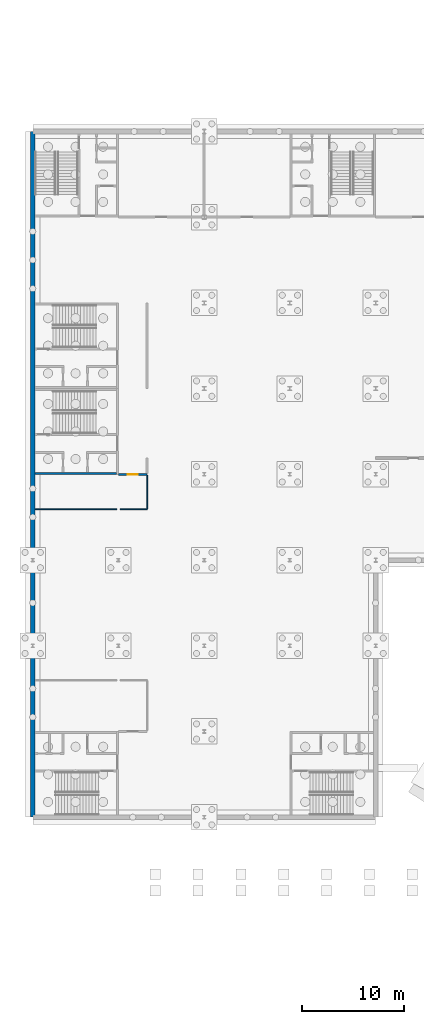
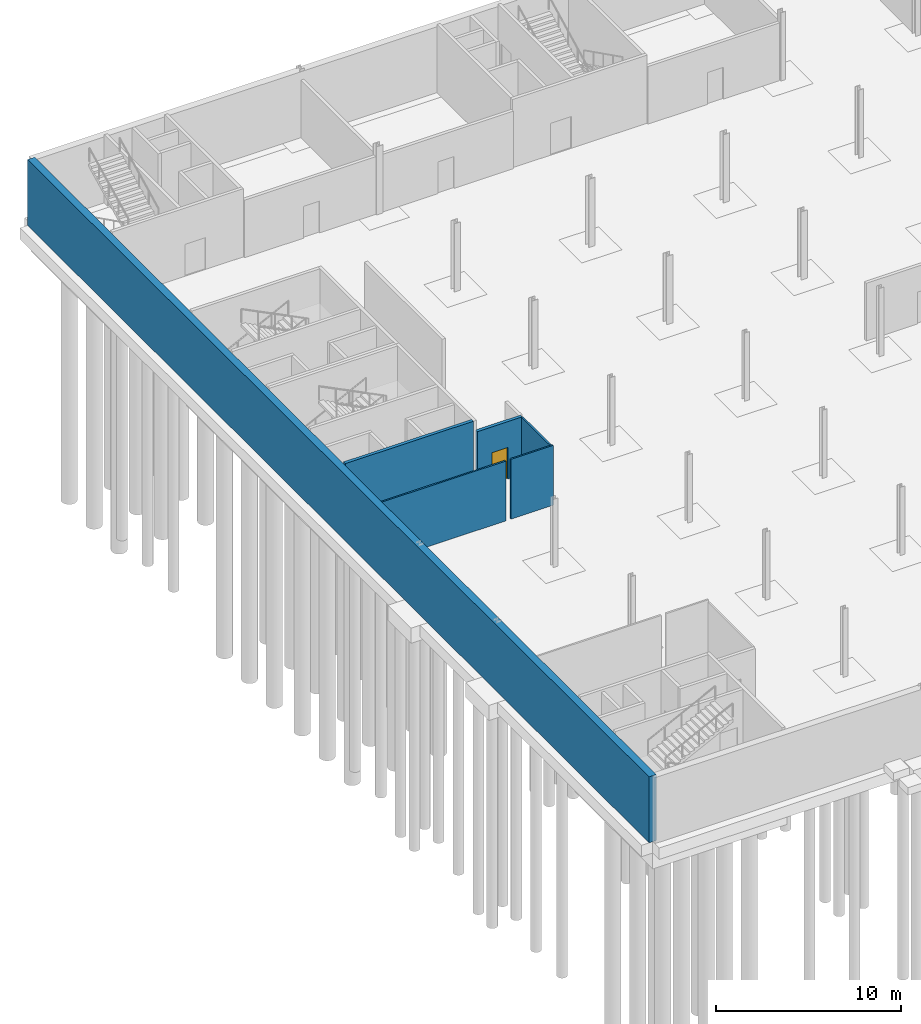
# One storey, part 20 of 35: 6 walls, 1 door, 1 opening.
"""IFC4 building model written with IfcOpenShell, lengths in metres."""

from ifc_helpers import new_model, si_unit, direction, frame, frame_2d, origin, place, context, subcontext, project, spatial, rectangle, extrude, material, layer, layer_set, type_object, element, fill, save


model = new_model("IFC4")

# Units and contexts
model_context = context("Model", 3, precision=1e-05, world=origin(), true_north=direction((0.0, 1.0)))
body_context = subcontext(model_context, "Body", "Model", "MODEL_VIEW")
ifc_project = project(units=[si_unit("LENGTHUNIT", "METRE"), si_unit("AREAUNIT", "SQUARE_METRE"), si_unit("VOLUMEUNIT", "CUBIC_METRE"), si_unit("PLANEANGLEUNIT", "RADIAN"), si_unit("MASSUNIT", "GRAM", prefix="KILO")], contexts=[model_context])

# Site, building, storey
site_placement = place(None, origin())
site = spatial("IfcSite", under=ifc_project, at=site_placement, CompositionType="ELEMENT")
building_placement = place(site_placement, origin())
building = spatial("IfcBuilding", under=site, at=building_placement, Name="Ardhachandra Cancer Care Centre", CompositionType="ELEMENT")
storey_placement = place(building_placement, frame((0.0, 0.0, -4.5)))
storey = spatial("IfcBuildingStorey", under=building, at=storey_placement, Name="B1", CompositionType="ELEMENT", Elevation=-4.5)

# Wall, opening, door
ifc_material_1 = material(Name="Gypsum board corridor partition on steel studs", Category="steel")
ifc_layer_1 = layer(ifc_material_1, 0.199951171875)
ifc_layer_set_1 = layer_set([ifc_layer_1], Name="Gypsum board corridor partition on steel studs")
wall_type_1 = type_object("IfcWallType", Name="CORRIDOR WALL 200 EI 120", PredefinedType="PARTITIONING", material=ifc_layer_set_1)
wall_1_placement = place(storey_placement, frame((19.199951171875, 63.0, 0.0), z_axis=(0.0, 0.0, 1.0), x_axis=(1.0, 0.0, 0.0)))
wall_1 = element("IfcWall", 1, at=wall_1_placement, inside=storey, type_object=wall_type_1, Name="R/wall/B1/h0063000_0019200", PredefinedType="PARTITIONING", context=body_context, shape_type="SweptSolid", body=[
    extrude(rectangle(XDim=2.800048828125, YDim=0.199951171875, at=frame_2d((1.39990234375, 0.0))), origin(), (0.0, 0.0, 1.0), 3.800048828125),
])
opening_placement = place(wall_1_placement, frame((0.89990234375, 0.0, 0.0)))
opening = element("IfcOpeningElement", 2, at=opening_placement, cuts=wall_1, Name="Opening B1-0003", PredefinedType="OPENING", context=body_context, shape_type="SweptSolid", body=[
    extrude(rectangle(XDim=1.0, YDim=2.10009765625, at=frame_2d((0.5, 1.050048828125))), frame((0.0, 0.10986328125, 0.0), z_axis=(0.0, -1.0, 0.0), x_axis=(1.0, 0.0, 0.0)), (0.0, 0.0, 1.0), 0.219970703125),
])
ifc_material_2 = material(Name="Steel fire door", Category="steel")
door_type = type_object("IfcDoorType", Name="FIRE DOOR SINGLE 1000x2100 FD60", OperationType="NOTDEFINED", PredefinedType="DOOR", material=ifc_material_2)
door_placement = place(opening_placement, origin())
door = element("IfcDoor", 3, at=door_placement, inside=storey, type_object=door_type, Name="Door B1-0003", OperationType="SINGLE_SWING_LEFT", OverallHeight=2.10009765625, OverallWidth=1.0, PredefinedType="DOOR", context=body_context, shape_type="SweptSolid", body=[
    extrude(rectangle(XDim=1.0, YDim=2.10009765625, at=frame_2d((0.5, 1.050048828125))), frame((0.0, 0.02490234375, 0.0), z_axis=(0.0, -1.0, 0.0), x_axis=(1.0, 0.0, 0.0)), (0.0, 0.0, 1.0), 0.050048828125),
])
fill(opening, door)

# Walls
ifc_material_3 = material(Name="Concrete M40", Category="concrete")
ifc_layer_2 = layer(ifc_material_3, 0.199951171875)
ifc_layer_set_2 = layer_set([ifc_layer_2], Name="Concrete M40")
wall_type_2 = type_object("IfcWallType", Name="Core wall RC 200", PredefinedType="SOLIDWALL", material=ifc_layer_set_2)
wall_2_placement = place(storey_placement, frame((19.0, 63.10009765625, 0.0), z_axis=(0.0, 0.0, 1.0), x_axis=(-1.0, 0.0, 0.0)))
element("IfcWall", 4, at=wall_2_placement, inside=storey, type_object=wall_type_2, Name="Core wall K3 UE", PredefinedType="SOLIDWALL", context=body_context, shape_type="SweptSolid", body=[
    extrude(rectangle(XDim=7.97509765625, YDim=0.199951171875, at=frame_2d((3.987548828125, 0.0))), origin(), (0.0, 0.0, 1.0), 4.5),
])
ifc_material_4 = material(Name="Concrete M40", Category="concrete")
ifc_layer_3 = layer(ifc_material_4, 0.449951171875)
ifc_layer_set_3 = layer_set([ifc_layer_3], Name="Concrete M40")
wall_type_3 = type_object("IfcWallType", Name="Retaining wall 450", PredefinedType="SOLIDWALL", material=ifc_layer_set_3)
wall_3_placement = place(storey_placement, frame((10.800048828125, 96.60009765625, 0.0), z_axis=(0.0, 0.0, 1.0), x_axis=(0.0, -1.0, 0.0)))
element("IfcWall", 5, at=wall_3_placement, inside=storey, type_object=wall_type_3, Name="Basement retaining wall 09", PredefinedType="SOLIDWALL", context=body_context, shape_type="SweptSolid", body=[
    extrude(rectangle(XDim=67.2001953125, YDim=0.449951171875, at=frame_2d((33.60009765625, 0.0))), origin(), (0.0, 0.0, 1.0), 4.35009765625),
])
ifc_material_5 = material(Name="Concrete block masonry", Category="masonry")
ifc_layer_4 = layer(ifc_material_5, 0.10009765625)
ifc_layer_set_4 = layer_set([ifc_layer_4], Name="Concrete block masonry")
wall_type_4 = type_object("IfcWallType", Name="STORE PARTITION 100", PredefinedType="SOLIDWALL", material=ifc_layer_set_4)
wall_4_placement = place(storey_placement, frame((11.02490234375, 59.60009765625, 0.0), z_axis=(0.0, 0.0, 1.0), x_axis=(1.0, 0.0, 0.0)))
element("IfcWall", 6, at=wall_4_placement, inside=storey, type_object=wall_type_4, Name="R/wall/B1/h0059600_0011025", PredefinedType="SOLIDWALL", context=body_context, shape_type="SweptSolid", body=[
    extrude(rectangle(XDim=8.025146484375, YDim=0.10009765625, at=frame_2d((4.0126953125, 0.0))), origin(), (0.0, 0.0, 1.0), 3.949951171875),
])
wall_5_placement = place(storey_placement, frame((19.35009765625, 59.60009765625, 0.0), z_axis=(0.0, 0.0, 1.0), x_axis=(1.0, 0.0, 0.0)))
element("IfcWall", 7, at=wall_5_placement, inside=storey, type_object=wall_type_4, Name="R/wall/B1/h0059600_0019350", PredefinedType="SOLIDWALL", context=body_context, shape_type="SweptSolid", body=[
    extrude(rectangle(XDim=2.64990234375, YDim=0.10009765625, at=frame_2d((1.324951171875, 0.0))), origin(), (0.0, 0.0, 1.0), 3.949951171875),
])
wall_6_placement = place(storey_placement, frame((22.0, 59.64990234375, 0.0), z_axis=(0.0, 0.0, 1.0), x_axis=(0.0, 1.0, 0.0)))
element("IfcWall", 8, at=wall_6_placement, inside=storey, type_object=wall_type_4, Name="R/wall/B1/v0022000_0059650", PredefinedType="SOLIDWALL", context=body_context, shape_type="SweptSolid", body=[
    extrude(rectangle(XDim=3.25, YDim=0.10009765625, at=frame_2d((1.625, 0.0))), origin(), (0.0, 0.0, 1.0), 3.800048828125),
])

save(model, "model.ifc")
